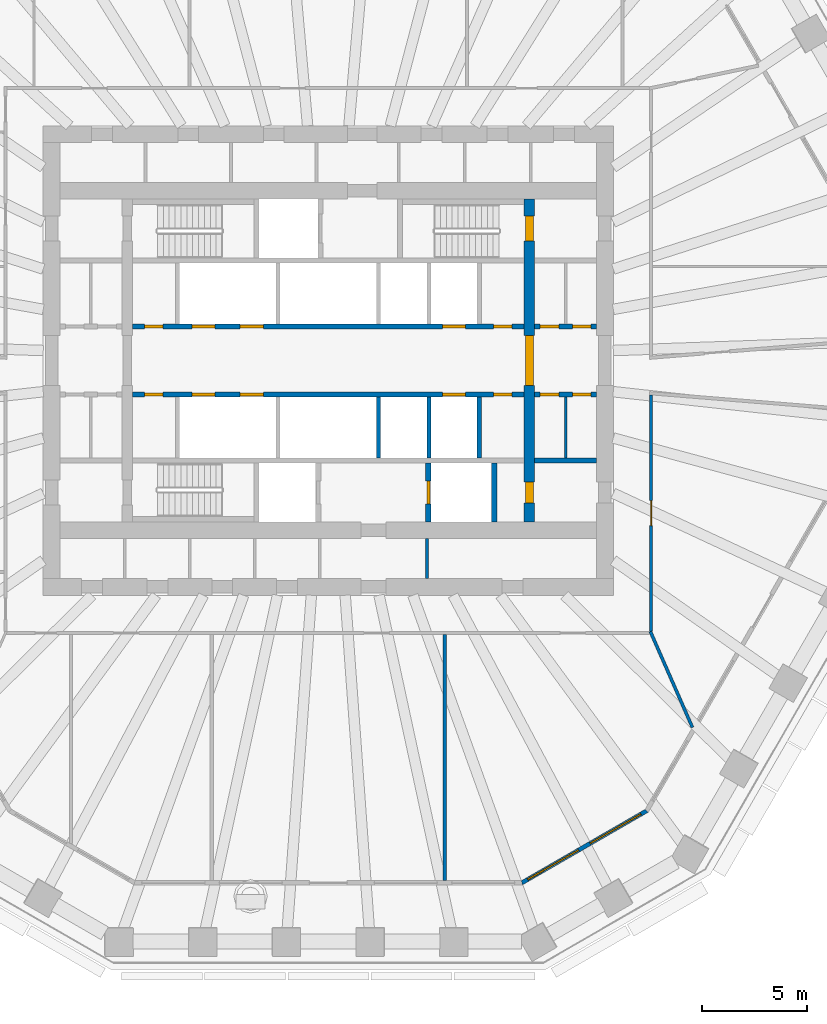
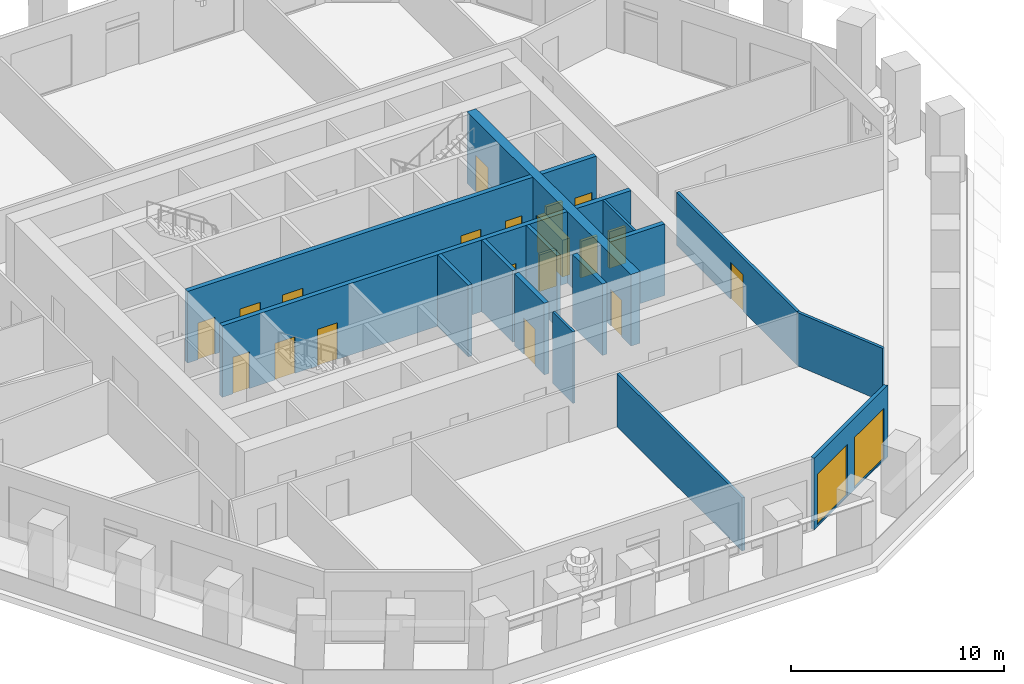
# One storey, part 5 of 13: 19 doors, 17 walls, 2 windows, 21 openings.
"""IFC4 building model written with IfcOpenShell, lengths in metres."""

import ifcopenshell
import ifcopenshell.guid

model = None  # the IFC model being written
_history = None  # IfcOwnerHistory: only IFC2X3 demands one
_inside = {}  # id of a spatial element -> (the spatial element, [elements in it])
_under = {}  # id of a project, library or spatial element -> (it, [spatial elements below it])
_declared = {}  # id of a project -> (the project, [libraries it declares])
_typed = {}  # id of a type object -> (the type object, [elements of that type])
_made_of = {}  # id of a material, layer set ... -> (it, [elements and type objects made of it])


def new_model(schema):
    """Start an empty IFC model of exactly this schema.

    Asked for "IFC4X3", IfcOpenShell would pick the latest addendum, in which some entities
    have other attributes; the version numbers below select the first issue.
    IFC2X3 requires an IfcOwnerHistory on every rooted entity: one is made here for all.
    """
    global model, _history
    if schema == "IFC4X3":
        model = ifcopenshell.file(schema_version=(4, 3, 0, 0))
    else:
        model = ifcopenshell.file(schema=schema)
    _inside.clear()
    _under.clear()
    _declared.clear()
    _typed.clear()
    _made_of.clear()
    _history = None
    if model.schema == "IFC2X3":
        org = make("IfcOrganization", Name="unknown")
        user = make(
            "IfcPersonAndOrganization",
            ThePerson=make("IfcPerson", FamilyName="unknown"),
            TheOrganization=org,
        )
        app = make(
            "IfcApplication",
            ApplicationDeveloper=org,
            Version="unknown",
            ApplicationFullName="unknown",
            ApplicationIdentifier="unknown",
        )
        _history = make(
            "IfcOwnerHistory",
            OwningUser=user,
            OwningApplication=app,
            ChangeAction="ADDED",
            CreationDate=0,
        )
    return model


def make(cls, **values):
    """One entity of the class cls with the attributes given. An attribute that is None is left unset."""
    return model.create_entity(
        cls, **{name: value for name, value in values.items() if value is not None}
    )


def rooted(cls, **values):
    """An entity with a GlobalId (a new one), such as an element, a storey or a relation."""
    return make(cls, GlobalId=ifcopenshell.guid.new(), OwnerHistory=_history, **values)


def si_unit(unit_type, name, prefix=None):
    """IfcSIUnit, for example si_unit("LENGTHUNIT", "METRE", prefix="MILLI")."""
    return make("IfcSIUnit", UnitType=unit_type, Prefix=prefix, Name=name)


def assignment(units):
    """IfcUnitAssignment: the units of a project."""
    return None if units is None else make("IfcUnitAssignment", Units=units)


def point(xyz):
    """IfcCartesianPoint."""
    return None if xyz is None else make("IfcCartesianPoint", Coordinates=xyz)


def direction(xyz):
    """IfcDirection."""
    return None if xyz is None else make("IfcDirection", DirectionRatios=xyz)


def frame(location, z_axis=None, x_axis=None):
    """IfcAxis2Placement3D, a coordinate frame: its origin and axes. An axis left out is left unset."""
    return make(
        "IfcAxis2Placement3D",
        Location=point(location),
        Axis=direction(z_axis),
        RefDirection=direction(x_axis),
    )


def frame_2d(location, x_axis=None):
    """IfcAxis2Placement2D, a coordinate frame in the plane: its origin and x axis."""
    return make(
        "IfcAxis2Placement2D", Location=point(location), RefDirection=direction(x_axis)
    )


def origin():
    """The frame at (0, 0, 0) with its axes left unset."""
    return frame((0.0, 0.0, 0.0))


def place(relative_to, where):
    """IfcLocalPlacement: puts the frame where relative to a parent placement (None: the world)."""
    return make(
        "IfcLocalPlacement", PlacementRelTo=relative_to, RelativePlacement=where
    )


def context(
    kind, dimensions, precision=None, world=None, true_north=None, identifier=None
):
    """IfcGeometricRepresentationContext, for example the 3D "Model" context."""
    return make(
        "IfcGeometricRepresentationContext",
        ContextIdentifier=identifier,
        ContextType=kind,
        CoordinateSpaceDimension=dimensions,
        Precision=precision,
        WorldCoordinateSystem=world,
        TrueNorth=true_north,
    )


def subcontext(parent, identifier, kind, view, scale=None):
    """IfcGeometricRepresentationSubContext, for example "Body" below "Model"."""
    return make(
        "IfcGeometricRepresentationSubContext",
        ContextIdentifier=identifier,
        ContextType=kind,
        ParentContext=parent,
        TargetScale=scale,
        TargetView=view,
    )


def project(units=None, contexts=None):
    """IfcProject with its units and contexts."""
    return rooted(
        "IfcProject",
        Name="project",
        RepresentationContexts=contexts,
        UnitsInContext=assignment(units),
    )


def spatial(cls, under=None, at=None, **own):
    """A site, building, storey or space (cls), placed at a placement, below another one or the project."""
    s = rooted(cls, ObjectPlacement=at, **own)
    if under is not None:
        _under.setdefault(under.id(), (under, []))[1].append(s)
    return s


def polyline(points):
    """IfcPolyline through the points."""
    return make("IfcPolyline", Points=[point(p) for p in points])


def profile(cls, at=None, kind="AREA", **sizes):
    """A parametric profile (cls). Its sizes go by their IFC names, for example OverallWidth=200.0."""
    return make(cls, ProfileType=kind, Position=at, **sizes)


def rectangle(**sizes):
    """IfcRectangleProfileDef."""
    return profile("IfcRectangleProfileDef", **sizes)


def outline(outer, holes=None, kind="AREA"):
    """IfcArbitraryClosedProfileDef: a profile drawn as a closed curve; with holes, ...WithVoids."""
    if holes is None:
        return make("IfcArbitraryClosedProfileDef", ProfileType=kind, OuterCurve=outer)
    return make(
        "IfcArbitraryProfileDefWithVoids",
        ProfileType=kind,
        OuterCurve=outer,
        InnerCurves=holes,
    )


def extrude(swept, where, along, depth):
    """IfcExtrudedAreaSolid: the profile swept, set in the frame where, extruded along a direction by depth."""
    return make(
        "IfcExtrudedAreaSolid",
        SweptArea=swept,
        Position=where,
        ExtrudedDirection=direction(along),
        Depth=depth,
    )


def shape(context_of_items, identifier, shape_type, items):
    """IfcShapeRepresentation: the items that make up one representation, for example the "Body"."""
    return make(
        "IfcShapeRepresentation",
        ContextOfItems=context_of_items,
        RepresentationIdentifier=identifier,
        RepresentationType=shape_type,
        Items=items,
    )


def material(Name=None, Category=None):
    """IfcMaterial."""
    return make("IfcMaterial", Name=Name, Category=Category)


def layer(
    of_material, thickness, ventilated=None, Name=None, Category=None, Priority=None
):
    """IfcMaterialLayer: one layer of a wall or slab, of a material (None: an air gap)."""
    return make(
        "IfcMaterialLayer",
        Material=of_material,
        LayerThickness=thickness,
        IsVentilated=ventilated,
        Name=Name,
        Category=Category,
        Priority=Priority,
    )


def layer_set(layers, Name=None):
    """IfcMaterialLayerSet."""
    return make("IfcMaterialLayerSet", MaterialLayers=layers, LayerSetName=Name)


def made_of(thing, what):
    """Note that an element or type object is made of a material, layer set ...; save() writes the relation."""
    if what is not None:
        _made_of.setdefault(what.id(), (what, []))[1].append(thing)
    return thing


def type_object(cls, material=None, **own):
    """A type object (cls), such as IfcWallType, which elements share."""
    return made_of(rooted(cls, **own), material)


def element(
    cls,
    number,
    at=None,
    inside=None,
    cuts=None,
    type_object=None,
    material=None,
    context=None,
    identifier="Body",
    shape_type=None,
    held_by="IfcProductDefinitionShape",
    body=None,
    shapes=None,
    **own,
):
    """One element of the class cls, such as IfcWall. Its Tag is "e" and its number.

    at: its placement. inside: the storey or other place that contains it. cuts: it is an
    opening in that element (IfcRelVoidsElement). A single representation is given by context,
    identifier, shape_type and body (its items); several are given by shapes. held_by: the class
    of the entity that holds the representations. save() writes the other relations.
    """
    e = rooted(cls, Tag="e%d" % number, ObjectPlacement=at, **own)
    if body is not None:
        shapes = [shape(context, identifier, shape_type, body)]
    if shapes is not None:
        e.Representation = make(held_by, Representations=shapes)
    if inside is not None:
        _inside.setdefault(inside.id(), (inside, []))[1].append(e)
    if cuts is not None:
        rooted(
            "IfcRelVoidsElement", RelatingBuildingElement=cuts, RelatedOpeningElement=e
        )
    if type_object is not None:
        _typed.setdefault(type_object.id(), (type_object, []))[1].append(e)
    return made_of(e, material)


def fill(opening, filler):
    """IfcRelFillsElement: the door or window that sits in an opening."""
    return rooted(
        "IfcRelFillsElement",
        RelatingOpeningElement=opening,
        RelatedBuildingElement=filler,
    )


def aggregate(whole, parts):
    """IfcRelAggregates: a whole, such as a stair, and the parts it consists of."""
    return rooted("IfcRelAggregates", RelatingObject=whole, RelatedObjects=parts)


def save(model, path):
    """Write the relations noted so far, then the file.

    IfcRelAggregates (storeys below a building ...), IfcRelContainedInSpatialStructure (elements
    in a storey), IfcRelDefinesByType, IfcRelAssociatesMaterial and IfcRelDeclares: one each for
    every whole, place, type object, material and project.
    """
    for whole, parts in _under.values():
        aggregate(whole, parts)
    for where, things in _inside.values():
        rooted(
            "IfcRelContainedInSpatialStructure",
            RelatedElements=things,
            RelatingStructure=where,
        )
    for kind, things in _typed.values():
        rooted("IfcRelDefinesByType", RelatedObjects=things, RelatingType=kind)
    for what, things in _made_of.values():
        rooted("IfcRelAssociatesMaterial", RelatedObjects=things, RelatingMaterial=what)
    for by, libraries in _declared.values():
        rooted("IfcRelDeclares", RelatingContext=by, RelatedDefinitions=libraries)
    model.write(path)


model = new_model("IFC4")

# Units and contexts
model_context = context("Model", 3, precision=1e-05, world=origin(), true_north=direction((0.0, 1.0)))
body_context = subcontext(model_context, "Body", "Model", "MODEL_VIEW")
ifc_project = project(units=[si_unit("LENGTHUNIT", "METRE"), si_unit("AREAUNIT", "SQUARE_METRE"), si_unit("VOLUMEUNIT", "CUBIC_METRE"), si_unit("PLANEANGLEUNIT", "RADIAN"), si_unit("MASSUNIT", "GRAM", prefix="KILO")], contexts=[model_context])

# Site, building, storey
site_placement = place(None, origin())
site = spatial("IfcSite", under=ifc_project, at=site_placement, CompositionType="ELEMENT")
building_placement = place(site_placement, origin())
building = spatial("IfcBuilding", under=site, at=building_placement, Name="Frailejon Research Tower", CompositionType="ELEMENT")
storey_placement = place(building_placement, frame((0.0, 0.0, 113.199951171875)))
storey = spatial("IfcBuildingStorey", under=building, at=storey_placement, Name="L24", CompositionType="ELEMENT", Elevation=113.199951171875)

# Walls
ifc_material_1 = material(Name="Plasterboard on steel studs", Category="steel")
ifc_layer_1 = layer(ifc_material_1, 0.125)
ifc_layer_set_1 = layer_set([ifc_layer_1], Name="Core partition 125")
wall_type_1 = type_object("IfcWallType", Name="Core partition 125", PredefinedType="PARTITIONING", material=ifc_layer_set_1)
wall_1_placement = place(storey_placement, frame((4.71240234375, -10.39990234375, 0.0), z_axis=(0.0, 0.0, 1.0), x_axis=(0.0, 1.0, 0.0)))
element("IfcWall", 1, at=wall_1_placement, inside=storey, type_object=wall_type_1, Name="Core partition", PredefinedType="PARTITIONING", context=body_context, shape_type="SweptSolid", body=[
    extrude(rectangle(XDim=1.89990234375, YDim=0.125, at=frame_2d((0.949951171875, 0.0))), origin(), (0.0, 0.0, 1.0), 4.10009765625),
])
wall_2_placement = place(storey_placement, frame((11.324951171875, -4.64990234375, 0.0), z_axis=(0.0, 0.0, 1.0), x_axis=(0.0, 1.0, 0.0)))
element("IfcWall", 2, at=wall_2_placement, inside=storey, type_object=wall_type_1, Name="Core partition", PredefinedType="PARTITIONING", context=body_context, shape_type="SweptSolid", body=[
    extrude(rectangle(XDim=2.89990234375, YDim=0.125, at=frame_2d((1.449951171875, 0.0))), origin(), (0.0, 0.0, 1.0), 4.10009765625),
])

# Wall, openings, doors
ifc_material_2 = material(Name="Concrete C70/85", Category="concrete")
ifc_layer_2 = layer(ifc_material_2, 0.5)
ifc_layer_set_2 = layer_set([ifc_layer_2], Name="Core shear wall 500 C70/85")
wall_type_2 = type_object("IfcWallType", Name="Core shear wall 500 C70/85", PredefinedType="SHEAR", material=ifc_layer_set_2)
wall_3_placement = place(storey_placement, frame((9.60009765625, -7.699951171875, 0.0), z_axis=(0.0, 0.0, 1.0), x_axis=(0.0, 1.0, 0.0)))
wall_3 = element("IfcWall", 3, at=wall_3_placement, inside=storey, type_object=wall_type_2, Name="Core shear wall", PredefinedType="SHEAR", context=body_context, shape_type="SweptSolid", body=[
    extrude(rectangle(XDim=15.39990234375, YDim=0.5, at=frame_2d((7.699951171875, 0.0))), origin(), (0.0, 0.0, 1.0), 4.10009765625),
])
opening_1_placement = place(wall_3_placement, frame((6.5, 0.0, 0.0)))
opening_1 = element("IfcOpeningElement", 4, at=opening_1_placement, cuts=wall_3, Name="Opening D2", PredefinedType="OPENING", context=body_context, shape_type="SweptSolid", body=[
    extrude(rectangle(XDim=2.39990234375, YDim=2.10009765625, at=frame_2d((1.199951171875, 1.050048828125))), frame((0.0, 0.260009765625, 0.0), z_axis=(0.0, -1.0, 0.0), x_axis=(1.0, 0.0, 0.0)), (0.0, 0.0, 1.0), 0.52001953125),
])
opening_2_placement = place(wall_3_placement, frame((13.39990234375, 0.0, 0.0)))
opening_2 = element("IfcOpeningElement", 5, at=opening_2_placement, cuts=wall_3, Name="Opening D1", PredefinedType="OPENING", context=body_context, shape_type="SweptSolid", body=[
    extrude(rectangle(XDim=1.199951171875, YDim=2.10009765625, at=frame_2d((0.60009765625, 1.050048828125))), frame((0.0, 0.260009765625, 0.0), z_axis=(0.0, -1.0, 0.0), x_axis=(1.0, 0.0, 0.0)), (0.0, 0.0, 1.0), 0.52001953125),
])
opening_3_placement = place(wall_3_placement, frame((0.89990234375, 0.0, 0.0)))
opening_3 = element("IfcOpeningElement", 6, at=opening_3_placement, cuts=wall_3, Name="Opening D4", PredefinedType="OPENING", context=body_context, shape_type="SweptSolid", body=[
    extrude(rectangle(XDim=1.0, YDim=2.10009765625, at=frame_2d((0.5, 1.050048828125))), frame((0.0, 0.260009765625, 0.0), z_axis=(0.0, -1.0, 0.0), x_axis=(1.0, 0.0, 0.0)), (0.0, 0.0, 1.0), 0.52001953125),
])
ifc_material_3 = material(Name="Steel", Category="steel")
door_type_1 = type_object("IfcDoorType", Name="Lobby double door", OperationType="DOUBLE_DOOR_SINGLE_SWING", PredefinedType="DOOR", material=ifc_material_3)
door_1_placement = place(opening_1_placement, origin())
door_1 = element("IfcDoor", 7, at=door_1_placement, inside=storey, type_object=door_type_1, Name="Lobby door", OperationType="DOUBLE_DOOR_SINGLE_SWING", OverallHeight=2.10009765625, OverallWidth=2.39990234375, PredefinedType="DOOR", context=body_context, shape_type="SweptSolid", body=[
    extrude(rectangle(XDim=2.39990234375, YDim=2.10009765625, at=frame_2d((1.199951171875, 1.050048828125))), frame((0.0, 0.199951171875, 0.0), z_axis=(0.0, -1.0, 0.0), x_axis=(1.0, 0.0, 0.0)), (0.0, 0.0, 1.0), 0.39990234375),
])
fill(opening_1, door_1)
ifc_material_4 = material(Name="Steel", Category="steel")
door_type_2 = type_object("IfcDoorType", Name="Service door", OperationType="SINGLE_SWING_LEFT", PredefinedType="DOOR", material=ifc_material_4)
door_2_placement = place(opening_3_placement, origin())
door_2 = element("IfcDoor", 8, at=door_2_placement, inside=storey, type_object=door_type_2, Name="Riser door", OperationType="SINGLE_SWING_RIGHT", OverallHeight=2.10009765625, OverallWidth=1.0, PredefinedType="DOOR", context=body_context, shape_type="SweptSolid", body=[
    extrude(rectangle(XDim=1.0, YDim=2.10009765625, at=frame_2d((0.5, 1.050048828125))), frame((0.0, 0.199951171875, 0.0), z_axis=(0.0, -1.0, 0.0), x_axis=(1.0, 0.0, 0.0)), (0.0, 0.0, 1.0), 0.39990234375),
])
fill(opening_3, door_2)
ifc_material_5 = material(Name="Steel", Category="steel")
door_type_3 = type_object("IfcDoorType", Name="Stair door", OperationType="SINGLE_SWING_LEFT", PredefinedType="DOOR", material=ifc_material_5)
door_3_placement = place(opening_2_placement, origin())
door_3 = element("IfcDoor", 9, at=door_3_placement, inside=storey, type_object=door_type_3, Name="Stair door ST3", OperationType="SINGLE_SWING_RIGHT", OverallHeight=2.10009765625, OverallWidth=1.199951171875, PredefinedType="DOOR", context=body_context, shape_type="SweptSolid", body=[
    extrude(rectangle(XDim=1.199951171875, YDim=2.10009765625, at=frame_2d((0.60009765625, 1.050048828125))), frame((0.0, 0.199951171875, 0.0), z_axis=(0.0, -1.0, 0.0), x_axis=(1.0, 0.0, 0.0)), (0.0, 0.0, 1.0), 0.39990234375),
])
fill(opening_2, door_3)

# Wall, opening, door
ifc_material_6 = material(Name="Gypsum board and masonry partition", Category="masonry")
ifc_layer_3 = layer(ifc_material_6, 0.14990234375)
ifc_layer_set_3 = layer_set([ifc_layer_3], Name="Corridor wall EI 60, gypsum on steel studs 150")
wall_type_3 = type_object("IfcWallType", Name="Corridor wall EI 60, gypsum on steel studs 150", PredefinedType="PARTITIONING", material=ifc_layer_set_3)
wall_4_placement = place(storey_placement, frame((15.39990234375, -12.925048828125, 0.0), z_axis=(0.0, 0.0, 1.0), x_axis=(0.0, 1.0, 0.0)))
wall_4 = element("IfcWall", 10, at=wall_4_placement, inside=storey, type_object=wall_type_3, Name="T:IW:L24:001", PredefinedType="PARTITIONING", context=body_context, shape_type="SweptSolid", body=[
    extrude(rectangle(XDim=11.2861328125, YDim=0.14990234375, at=frame_2d((5.64306640625, 0.0))), origin(), (0.0, 0.0, 1.0), 3.050048828125),
])
opening_4_placement = place(wall_4_placement, frame((5.043212890625, 0.0, 0.0)))
opening_4 = element("IfcOpeningElement", 11, at=opening_4_placement, cuts=wall_4, Name="Opening D1614", PredefinedType="OPENING", context=body_context, shape_type="SweptSolid", body=[
    extrude(rectangle(XDim=1.199951171875, YDim=2.10009765625, at=frame_2d((0.60009765625, 1.050048828125))), frame((0.0, 0.0849609375, 0.0), z_axis=(0.0, -1.0, 0.0), x_axis=(1.0, 0.0, 0.0)), (0.0, 0.0, 1.0), 0.169921875),
])
ifc_material_7 = material(Name="Timber door leaf", Category="wood")
door_type_4 = type_object("IfcDoorType", Name="Door single leaf, timber, steel frame 1200", OperationType="NOTDEFINED", PredefinedType="DOOR", material=ifc_material_7)
door_4_placement = place(opening_4_placement, origin())
door_4 = element("IfcDoor", 12, at=door_4_placement, inside=storey, type_object=door_type_4, Name="D1614", OperationType="DOUBLE_DOOR_SINGLE_SWING", OverallHeight=2.10009765625, OverallWidth=1.199951171875, PredefinedType="DOOR", context=body_context, shape_type="SweptSolid", body=[
    extrude(rectangle(XDim=1.199951171875, YDim=2.10009765625, at=frame_2d((0.60009765625, 1.050048828125))), frame((0.0, 0.02490234375, 0.0), z_axis=(0.0, -1.0, 0.0), x_axis=(1.0, 0.0, 0.0)), (0.0, 0.0, 1.0), 0.050048828125),
])
fill(opening_4, door_4)

# Walls
ifc_material_8 = material(Name="Gypsum board and masonry partition", Category="masonry")
ifc_layer_4 = layer(ifc_material_8, 0.14990234375)
ifc_layer_set_4 = layer_set([ifc_layer_4], Name="Laboratory partition, blockwork 150")
wall_type_4 = type_object("IfcWallType", Name="Laboratory partition, blockwork 150", PredefinedType="PARTITIONING", material=ifc_layer_set_4)
wall_5_placement = place(storey_placement, frame((5.56103515625, -24.818115234375, 0.0), z_axis=(0.0, 0.0, 1.0), x_axis=(0.0, 1.0, 0.0)))
element("IfcWall", 13, at=wall_5_placement, inside=storey, type_object=wall_type_4, Name="T:IW:L24:018", PredefinedType="PARTITIONING", context=body_context, shape_type="SweptSolid", body=[
    extrude(rectangle(XDim=11.7431640625, YDim=0.14990234375, at=frame_2d((5.87158203125, 0.0))), origin(), (0.0, 0.0, 1.0), 3.050048828125),
])
wall_6_placement = place(storey_placement, frame((15.369873046875, -12.931396484375, 0.0), z_axis=(0.0, 0.0, 1.0), x_axis=(0.401552160524, -0.915836154767, 0.0)))
element("IfcWall", 14, at=wall_6_placement, inside=storey, type_object=wall_type_4, Name="T:IW:L24:019", PredefinedType="PARTITIONING", context=body_context, shape_type="SweptSolid", body=[
    extrude(rectangle(XDim=4.994140625, YDim=0.14990234375, at=frame_2d((2.4970703125, 0.0))), origin(), (0.0, 0.0, 1.0), 3.050048828125),
])
ifc_material_9 = material(Name="Concrete C70/85", Category="concrete")
ifc_layer_5 = layer(ifc_material_9, 0.199951171875)
ifc_layer_set_5 = layer_set([ifc_layer_5], Name="Shaft wall 200 C70/85")
wall_type_5 = type_object("IfcWallType", Name="Shaft wall 200 C70/85", PredefinedType="SOLIDWALL", material=ifc_layer_set_5)
for number, where, z_axis, x_axis, name in (
    (15, (2.39990234375, -4.64990234375, 0.0), (0.0, 0.0, 1.0), (0.0, 1.0, 0.0), "Shaft wall"),
    (16, (4.800048828125, -4.64990234375, 0.0), (0.0, 0.0, 1.0), (0.0, 1.0, 0.0), "Shaft wall"),
    (17, (7.199951171875, -4.64990234375, 0.0), (0.0, 0.0, 1.0), (0.0, 1.0, 0.0), "Shaft wall"),
):
    element("IfcWall", number, at=place(storey_placement, frame(where, z_axis=z_axis, x_axis=x_axis)), inside=storey, type_object=wall_type_5, Name=name, PredefinedType="SOLIDWALL", context=body_context, shape_type="SweptSolid", body=[
        extrude(rectangle(XDim=2.89990234375, YDim=0.199951171875, at=frame_2d((1.449951171875, 0.0))), origin(), (0.0, 0.0, 1.0), 4.10009765625),
    ])

# Wall, openings, doors
ifc_material_10 = material(Name="Concrete C70/85", Category="concrete")
ifc_layer_6 = layer(ifc_material_10, 0.25)
ifc_layer_set_6 = layer_set([ifc_layer_6], Name="Shaft wall 250 C70/85")
wall_type_6 = type_object("IfcWallType", Name="Shaft wall 250 C70/85", PredefinedType="SOLIDWALL", material=ifc_layer_set_6)
wall_7_placement = place(storey_placement, frame((-9.35009765625, 1.625, 0.0), z_axis=(0.0, 0.0, 1.0), x_axis=(1.0, 0.0, 0.0)))
wall_7 = element("IfcWall", 18, at=wall_7_placement, inside=storey, type_object=wall_type_6, Name="Shaft wall", PredefinedType="SOLIDWALL", context=body_context, shape_type="SweptSolid", body=[
    extrude(rectangle(XDim=18.7001953125, YDim=0.25, at=frame_2d((9.35009765625, 0.0))), origin(), (0.0, 0.0, 1.0), 4.10009765625),
])
opening_5_placement = place(wall_7_placement, frame((2.85009765625, 0.0, 0.0)))
opening_5 = element("IfcOpeningElement", 19, at=opening_5_placement, cuts=wall_7, Name="Opening LD", PredefinedType="OPENING", context=body_context, shape_type="SweptSolid", body=[
    extrude(rectangle(XDim=1.10009765625, YDim=2.10009765625, at=frame_2d((0.550048828125, 1.050048828125))), frame((0.0, 0.135009765625, 0.0), z_axis=(0.0, -1.0, 0.0), x_axis=(1.0, 0.0, 0.0)), (0.0, 0.0, 1.0), 0.27001953125),
])
opening_6_placement = place(wall_7_placement, frame((5.14990234375, 0.0, 0.0)))
opening_6 = element("IfcOpeningElement", 20, at=opening_6_placement, cuts=wall_7, Name="Opening LD", PredefinedType="OPENING", context=body_context, shape_type="SweptSolid", body=[
    extrude(rectangle(XDim=1.10009765625, YDim=2.10009765625, at=frame_2d((0.550048828125, 1.050048828125))), frame((0.0, 0.135009765625, 0.0), z_axis=(0.0, -1.0, 0.0), x_axis=(1.0, 0.0, 0.0)), (0.0, 0.0, 1.0), 0.27001953125),
])
opening_7_placement = place(wall_7_placement, frame((14.800048828125, 0.0, 0.0)))
opening_7 = element("IfcOpeningElement", 21, at=opening_7_placement, cuts=wall_7, Name="Opening LD", PredefinedType="OPENING", context=body_context, shape_type="SweptSolid", body=[
    extrude(rectangle(XDim=1.10009765625, YDim=2.10009765625, at=frame_2d((0.550048828125, 1.050048828125))), frame((0.0, 0.135009765625, 0.0), z_axis=(0.0, -1.0, 0.0), x_axis=(1.0, 0.0, 0.0)), (0.0, 0.0, 1.0), 0.27001953125),
])
opening_8_placement = place(wall_7_placement, frame((0.574951171875, 0.0, 0.0)))
opening_8 = element("IfcOpeningElement", 22, at=opening_8_placement, cuts=wall_7, Name="Opening D8", PredefinedType="OPENING", context=body_context, shape_type="SweptSolid", body=[
    extrude(rectangle(XDim=0.89990234375, YDim=2.10009765625, at=frame_2d((0.449951171875, 1.050048828125))), frame((0.0, 0.135009765625, 0.0), z_axis=(0.0, -1.0, 0.0), x_axis=(1.0, 0.0, 0.0)), (0.0, 0.0, 1.0), 0.27001953125),
])
opening_9_placement = place(wall_7_placement, frame((17.22509765625, 0.0, 0.0)))
opening_9 = element("IfcOpeningElement", 23, at=opening_9_placement, cuts=wall_7, Name="Opening D8", PredefinedType="OPENING", context=body_context, shape_type="SweptSolid", body=[
    extrude(rectangle(XDim=0.89990234375, YDim=2.10009765625, at=frame_2d((0.449951171875, 1.050048828125))), frame((0.0, 0.135009765625, 0.0), z_axis=(0.0, -1.0, 0.0), x_axis=(1.0, 0.0, 0.0)), (0.0, 0.0, 1.0), 0.27001953125),
])
ifc_material_11 = material(Name="Steel", Category="steel")
door_type_5 = type_object("IfcDoorType", Name="Core room door", OperationType="SINGLE_SWING_LEFT", PredefinedType="DOOR", material=ifc_material_11)
door_5_placement = place(opening_8_placement, origin())
door_5 = element("IfcDoor", 24, at=door_5_placement, inside=storey, type_object=door_type_5, Name="Room door", OperationType="SINGLE_SWING_LEFT", OverallHeight=2.10009765625, OverallWidth=0.89990234375, PredefinedType="DOOR", context=body_context, shape_type="SweptSolid", body=[
    extrude(rectangle(XDim=0.89990234375, YDim=2.10009765625, at=frame_2d((0.449951171875, 1.050048828125))), frame((0.0, 0.074951171875, 0.0), z_axis=(0.0, -1.0, 0.0), x_axis=(1.0, 0.0, 0.0)), (0.0, 0.0, 1.0), 0.14990234375),
])
fill(opening_8, door_5)
door_6_placement = place(opening_9_placement, origin())
door_6 = element("IfcDoor", 25, at=door_6_placement, inside=storey, type_object=door_type_5, Name="Room door", OperationType="SINGLE_SWING_RIGHT", OverallHeight=2.10009765625, OverallWidth=0.89990234375, PredefinedType="DOOR", context=body_context, shape_type="SweptSolid", body=[
    extrude(rectangle(XDim=0.89990234375, YDim=2.10009765625, at=frame_2d((0.449951171875, 1.050048828125))), frame((0.0, 0.074951171875, 0.0), z_axis=(0.0, -1.0, 0.0), x_axis=(1.0, 0.0, 0.0)), (0.0, 0.0, 1.0), 0.14990234375),
])
fill(opening_9, door_6)
ifc_material_12 = material(Name="Steel", Category="steel")
door_type_6 = type_object("IfcDoorType", Name="Lift landing door", OperationType="DOUBLE_DOOR_SLIDING", PredefinedType="DOOR", material=ifc_material_12)
door_7_placement = place(opening_5_placement, origin())
door_7 = element("IfcDoor", 26, at=door_7_placement, inside=storey, type_object=door_type_6, Name="Lift landing door", OperationType="DOUBLE_DOOR_SLIDING", OverallHeight=2.10009765625, OverallWidth=1.10009765625, PredefinedType="DOOR", context=body_context, shape_type="SweptSolid", body=[
    extrude(rectangle(XDim=1.10009765625, YDim=2.10009765625, at=frame_2d((0.550048828125, 1.050048828125))), frame((0.0, 0.074951171875, 0.0), z_axis=(0.0, -1.0, 0.0), x_axis=(1.0, 0.0, 0.0)), (0.0, 0.0, 1.0), 0.14990234375),
])
fill(opening_5, door_7)
door_8_placement = place(opening_6_placement, origin())
door_8 = element("IfcDoor", 27, at=door_8_placement, inside=storey, type_object=door_type_6, Name="Lift landing door", OperationType="DOUBLE_DOOR_SLIDING", OverallHeight=2.10009765625, OverallWidth=1.10009765625, PredefinedType="DOOR", context=body_context, shape_type="SweptSolid", body=[
    extrude(rectangle(XDim=1.10009765625, YDim=2.10009765625, at=frame_2d((0.550048828125, 1.050048828125))), frame((0.0, 0.074951171875, 0.0), z_axis=(0.0, -1.0, 0.0), x_axis=(1.0, 0.0, 0.0)), (0.0, 0.0, 1.0), 0.14990234375),
])
fill(opening_6, door_8)
door_9_placement = place(opening_7_placement, origin())
door_9 = element("IfcDoor", 28, at=door_9_placement, inside=storey, type_object=door_type_6, Name="Lift landing door", OperationType="DOUBLE_DOOR_SLIDING", OverallHeight=2.10009765625, OverallWidth=1.10009765625, PredefinedType="DOOR", context=body_context, shape_type="SweptSolid", body=[
    extrude(rectangle(XDim=1.10009765625, YDim=2.10009765625, at=frame_2d((0.550048828125, 1.050048828125))), frame((0.0, 0.074951171875, 0.0), z_axis=(0.0, -1.0, 0.0), x_axis=(1.0, 0.0, 0.0)), (0.0, 0.0, 1.0), 0.14990234375),
])
fill(opening_7, door_9)

wall_8_placement = place(storey_placement, frame((9.85009765625, 1.625, 0.0), z_axis=(0.0, 0.0, 1.0), x_axis=(1.0, 0.0, 0.0)))
wall_8 = element("IfcWall", 29, at=wall_8_placement, inside=storey, type_object=wall_type_6, Name="Shaft wall", PredefinedType="SOLIDWALL", context=body_context, shape_type="SweptSolid", body=[
    extrude(rectangle(XDim=2.949951171875, YDim=0.25, at=frame_2d((1.47509765625, 0.0))), origin(), (0.0, 0.0, 1.0), 4.10009765625),
])
opening_10_placement = place(wall_8_placement, frame((0.256103515625, 0.0, 0.0)))
opening_10 = element("IfcOpeningElement", 30, at=opening_10_placement, cuts=wall_8, Name="Opening D8", PredefinedType="OPENING", context=body_context, shape_type="SweptSolid", body=[
    extrude(rectangle(XDim=0.89990234375, YDim=2.10009765625, at=frame_2d((0.449951171875, 1.050048828125))), frame((0.0, 0.135009765625, 0.0), z_axis=(0.0, -1.0, 0.0), x_axis=(1.0, 0.0, 0.0)), (0.0, 0.0, 1.0), 0.27001953125),
])
opening_11_placement = place(wall_8_placement, frame((1.793701171875, 0.0, 0.0)))
opening_11 = element("IfcOpeningElement", 31, at=opening_11_placement, cuts=wall_8, Name="Opening D8", PredefinedType="OPENING", context=body_context, shape_type="SweptSolid", body=[
    extrude(rectangle(XDim=0.89990234375, YDim=2.10009765625, at=frame_2d((0.449951171875, 1.050048828125))), frame((0.0, 0.135009765625, 0.0), z_axis=(0.0, -1.0, 0.0), x_axis=(1.0, 0.0, 0.0)), (0.0, 0.0, 1.0), 0.27001953125),
])
door_10_placement = place(opening_10_placement, origin())
door_10 = element("IfcDoor", 32, at=door_10_placement, inside=storey, type_object=door_type_5, Name="Room door", OperationType="SINGLE_SWING_LEFT", OverallHeight=2.10009765625, OverallWidth=0.89990234375, PredefinedType="DOOR", context=body_context, shape_type="SweptSolid", body=[
    extrude(rectangle(XDim=0.89990234375, YDim=2.10009765625, at=frame_2d((0.449951171875, 1.050048828125))), frame((0.0, 0.074951171875, 0.0), z_axis=(0.0, -1.0, 0.0), x_axis=(1.0, 0.0, 0.0)), (0.0, 0.0, 1.0), 0.14990234375),
])
fill(opening_10, door_10)
door_11_placement = place(opening_11_placement, origin())
door_11 = element("IfcDoor", 33, at=door_11_placement, inside=storey, type_object=door_type_5, Name="Room door", OperationType="SINGLE_SWING_RIGHT", OverallHeight=2.10009765625, OverallWidth=0.89990234375, PredefinedType="DOOR", context=body_context, shape_type="SweptSolid", body=[
    extrude(rectangle(XDim=0.89990234375, YDim=2.10009765625, at=frame_2d((0.449951171875, 1.050048828125))), frame((0.0, 0.074951171875, 0.0), z_axis=(0.0, -1.0, 0.0), x_axis=(1.0, 0.0, 0.0)), (0.0, 0.0, 1.0), 0.14990234375),
])
fill(opening_11, door_11)

wall_9_placement = place(storey_placement, frame((-9.35009765625, -1.625, 0.0), z_axis=(0.0, 0.0, 1.0), x_axis=(1.0, 0.0, 0.0)))
wall_9 = element("IfcWall", 34, at=wall_9_placement, inside=storey, type_object=wall_type_6, Name="Shaft wall", PredefinedType="SOLIDWALL", context=body_context, shape_type="SweptSolid", body=[
    extrude(rectangle(XDim=18.7001953125, YDim=0.25, at=frame_2d((9.35009765625, 0.0))), origin(), (0.0, 0.0, 1.0), 4.10009765625),
])
opening_12_placement = place(wall_9_placement, frame((2.85009765625, 0.0, 0.0)))
opening_12 = element("IfcOpeningElement", 35, at=opening_12_placement, cuts=wall_9, Name="Opening LD", PredefinedType="OPENING", context=body_context, shape_type="SweptSolid", body=[
    extrude(rectangle(XDim=1.10009765625, YDim=2.10009765625, at=frame_2d((0.550048828125, 1.050048828125))), frame((0.0, 0.135009765625, 0.0), z_axis=(0.0, -1.0, 0.0), x_axis=(1.0, 0.0, 0.0)), (0.0, 0.0, 1.0), 0.27001953125),
])
opening_13_placement = place(wall_9_placement, frame((5.14990234375, 0.0, 0.0)))
opening_13 = element("IfcOpeningElement", 36, at=opening_13_placement, cuts=wall_9, Name="Opening LD", PredefinedType="OPENING", context=body_context, shape_type="SweptSolid", body=[
    extrude(rectangle(XDim=1.10009765625, YDim=2.10009765625, at=frame_2d((0.550048828125, 1.050048828125))), frame((0.0, 0.135009765625, 0.0), z_axis=(0.0, -1.0, 0.0), x_axis=(1.0, 0.0, 0.0)), (0.0, 0.0, 1.0), 0.27001953125),
])
opening_14_placement = place(wall_9_placement, frame((14.800048828125, 0.0, 0.0)))
opening_14 = element("IfcOpeningElement", 37, at=opening_14_placement, cuts=wall_9, Name="Opening LD", PredefinedType="OPENING", context=body_context, shape_type="SweptSolid", body=[
    extrude(rectangle(XDim=1.10009765625, YDim=2.10009765625, at=frame_2d((0.550048828125, 1.050048828125))), frame((0.0, 0.135009765625, 0.0), z_axis=(0.0, -1.0, 0.0), x_axis=(1.0, 0.0, 0.0)), (0.0, 0.0, 1.0), 0.27001953125),
])
opening_15_placement = place(wall_9_placement, frame((0.574951171875, 0.0, 0.0)))
opening_15 = element("IfcOpeningElement", 38, at=opening_15_placement, cuts=wall_9, Name="Opening D8", PredefinedType="OPENING", context=body_context, shape_type="SweptSolid", body=[
    extrude(rectangle(XDim=0.89990234375, YDim=2.10009765625, at=frame_2d((0.449951171875, 1.050048828125))), frame((0.0, 0.135009765625, 0.0), z_axis=(0.0, -1.0, 0.0), x_axis=(1.0, 0.0, 0.0)), (0.0, 0.0, 1.0), 0.27001953125),
])
opening_16_placement = place(wall_9_placement, frame((17.22509765625, 0.0, 0.0)))
opening_16 = element("IfcOpeningElement", 39, at=opening_16_placement, cuts=wall_9, Name="Opening D8", PredefinedType="OPENING", context=body_context, shape_type="SweptSolid", body=[
    extrude(rectangle(XDim=0.89990234375, YDim=2.10009765625, at=frame_2d((0.449951171875, 1.050048828125))), frame((0.0, 0.135009765625, 0.0), z_axis=(0.0, -1.0, 0.0), x_axis=(1.0, 0.0, 0.0)), (0.0, 0.0, 1.0), 0.27001953125),
])
door_12_placement = place(opening_15_placement, origin())
door_12 = element("IfcDoor", 40, at=door_12_placement, inside=storey, type_object=door_type_5, Name="Room door", OperationType="SINGLE_SWING_LEFT", OverallHeight=2.10009765625, OverallWidth=0.89990234375, PredefinedType="DOOR", context=body_context, shape_type="SweptSolid", body=[
    extrude(rectangle(XDim=0.89990234375, YDim=2.10009765625, at=frame_2d((0.449951171875, 1.050048828125))), frame((0.0, 0.074951171875, 0.0), z_axis=(0.0, -1.0, 0.0), x_axis=(1.0, 0.0, 0.0)), (0.0, 0.0, 1.0), 0.14990234375),
])
fill(opening_15, door_12)
door_13_placement = place(opening_16_placement, origin())
door_13 = element("IfcDoor", 41, at=door_13_placement, inside=storey, type_object=door_type_5, Name="Room door", OperationType="SINGLE_SWING_RIGHT", OverallHeight=2.10009765625, OverallWidth=0.89990234375, PredefinedType="DOOR", context=body_context, shape_type="SweptSolid", body=[
    extrude(rectangle(XDim=0.89990234375, YDim=2.10009765625, at=frame_2d((0.449951171875, 1.050048828125))), frame((0.0, 0.074951171875, 0.0), z_axis=(0.0, -1.0, 0.0), x_axis=(1.0, 0.0, 0.0)), (0.0, 0.0, 1.0), 0.14990234375),
])
fill(opening_16, door_13)
door_14_placement = place(opening_12_placement, origin())
door_14 = element("IfcDoor", 42, at=door_14_placement, inside=storey, type_object=door_type_6, Name="Lift landing door", OperationType="DOUBLE_DOOR_SLIDING", OverallHeight=2.10009765625, OverallWidth=1.10009765625, PredefinedType="DOOR", context=body_context, shape_type="SweptSolid", body=[
    extrude(rectangle(XDim=1.10009765625, YDim=2.10009765625, at=frame_2d((0.550048828125, 1.050048828125))), frame((0.0, 0.074951171875, 0.0), z_axis=(0.0, -1.0, 0.0), x_axis=(1.0, 0.0, 0.0)), (0.0, 0.0, 1.0), 0.14990234375),
])
fill(opening_12, door_14)
door_15_placement = place(opening_13_placement, origin())
door_15 = element("IfcDoor", 43, at=door_15_placement, inside=storey, type_object=door_type_6, Name="Lift landing door", OperationType="DOUBLE_DOOR_SLIDING", OverallHeight=2.10009765625, OverallWidth=1.10009765625, PredefinedType="DOOR", context=body_context, shape_type="SweptSolid", body=[
    extrude(rectangle(XDim=1.10009765625, YDim=2.10009765625, at=frame_2d((0.550048828125, 1.050048828125))), frame((0.0, 0.074951171875, 0.0), z_axis=(0.0, -1.0, 0.0), x_axis=(1.0, 0.0, 0.0)), (0.0, 0.0, 1.0), 0.14990234375),
])
fill(opening_13, door_15)
door_16_placement = place(opening_14_placement, origin())
door_16 = element("IfcDoor", 44, at=door_16_placement, inside=storey, type_object=door_type_6, Name="Lift landing door", OperationType="DOUBLE_DOOR_SLIDING", OverallHeight=2.10009765625, OverallWidth=1.10009765625, PredefinedType="DOOR", context=body_context, shape_type="SweptSolid", body=[
    extrude(rectangle(XDim=1.10009765625, YDim=2.10009765625, at=frame_2d((0.550048828125, 1.050048828125))), frame((0.0, 0.074951171875, 0.0), z_axis=(0.0, -1.0, 0.0), x_axis=(1.0, 0.0, 0.0)), (0.0, 0.0, 1.0), 0.14990234375),
])
fill(opening_14, door_16)

wall_10_placement = place(storey_placement, frame((9.85009765625, -1.625, 0.0), z_axis=(0.0, 0.0, 1.0), x_axis=(1.0, 0.0, 0.0)))
wall_10 = element("IfcWall", 45, at=wall_10_placement, inside=storey, type_object=wall_type_6, Name="Shaft wall", PredefinedType="SOLIDWALL", context=body_context, shape_type="SweptSolid", body=[
    extrude(rectangle(XDim=2.949951171875, YDim=0.25, at=frame_2d((1.47509765625, 0.0))), origin(), (0.0, 0.0, 1.0), 4.10009765625),
])
opening_17_placement = place(wall_10_placement, frame((0.256103515625, 0.0, 0.0)))
opening_17 = element("IfcOpeningElement", 46, at=opening_17_placement, cuts=wall_10, Name="Opening D8", PredefinedType="OPENING", context=body_context, shape_type="SweptSolid", body=[
    extrude(rectangle(XDim=0.89990234375, YDim=2.10009765625, at=frame_2d((0.449951171875, 1.050048828125))), frame((0.0, 0.135009765625, 0.0), z_axis=(0.0, -1.0, 0.0), x_axis=(1.0, 0.0, 0.0)), (0.0, 0.0, 1.0), 0.27001953125),
])
opening_18_placement = place(wall_10_placement, frame((1.793701171875, 0.0, 0.0)))
opening_18 = element("IfcOpeningElement", 47, at=opening_18_placement, cuts=wall_10, Name="Opening D8", PredefinedType="OPENING", context=body_context, shape_type="SweptSolid", body=[
    extrude(rectangle(XDim=0.89990234375, YDim=2.10009765625, at=frame_2d((0.449951171875, 1.050048828125))), frame((0.0, 0.135009765625, 0.0), z_axis=(0.0, -1.0, 0.0), x_axis=(1.0, 0.0, 0.0)), (0.0, 0.0, 1.0), 0.27001953125),
])
door_17_placement = place(opening_17_placement, origin())
door_17 = element("IfcDoor", 48, at=door_17_placement, inside=storey, type_object=door_type_5, Name="Room door", OperationType="SINGLE_SWING_LEFT", OverallHeight=2.10009765625, OverallWidth=0.89990234375, PredefinedType="DOOR", context=body_context, shape_type="SweptSolid", body=[
    extrude(rectangle(XDim=0.89990234375, YDim=2.10009765625, at=frame_2d((0.449951171875, 1.050048828125))), frame((0.0, 0.074951171875, 0.0), z_axis=(0.0, -1.0, 0.0), x_axis=(1.0, 0.0, 0.0)), (0.0, 0.0, 1.0), 0.14990234375),
])
fill(opening_17, door_17)
door_18_placement = place(opening_18_placement, origin())
door_18 = element("IfcDoor", 49, at=door_18_placement, inside=storey, type_object=door_type_5, Name="Room door", OperationType="SINGLE_SWING_RIGHT", OverallHeight=2.10009765625, OverallWidth=0.89990234375, PredefinedType="DOOR", context=body_context, shape_type="SweptSolid", body=[
    extrude(rectangle(XDim=0.89990234375, YDim=2.10009765625, at=frame_2d((0.449951171875, 1.050048828125))), frame((0.0, 0.074951171875, 0.0), z_axis=(0.0, -1.0, 0.0), x_axis=(1.0, 0.0, 0.0)), (0.0, 0.0, 1.0), 0.14990234375),
])
fill(opening_18, door_18)

# Wall
wall_11_placement = place(storey_placement, frame((9.85009765625, -4.77490234375, 0.0), z_axis=(0.0, 0.0, 1.0), x_axis=(1.0, 0.0, 0.0)))
element("IfcWall", 50, at=wall_11_placement, inside=storey, type_object=wall_type_6, Name="Shaft wall", PredefinedType="SOLIDWALL", context=body_context, shape_type="SweptSolid", body=[
    extrude(rectangle(XDim=2.949951171875, YDim=0.25, at=frame_2d((1.47509765625, 0.0))), origin(), (0.0, 0.0, 1.0), 4.10009765625),
])

# Wall, opening, door
wall_12_placement = place(storey_placement, frame((4.77490234375, -7.699951171875, 0.0), z_axis=(0.0, 0.0, 1.0), x_axis=(0.0, 1.0, 0.0)))
wall_12 = element("IfcWall", 51, at=wall_12_placement, inside=storey, type_object=wall_type_6, Name="Shaft wall", PredefinedType="SOLIDWALL", context=body_context, shape_type="SweptSolid", body=[
    extrude(rectangle(XDim=2.800048828125, YDim=0.25, at=frame_2d((1.39990234375, 0.0))), origin(), (0.0, 0.0, 1.0), 4.10009765625),
])
opening_19_placement = place(wall_12_placement, frame((0.85009765625, 0.0, 0.0)))
opening_19 = element("IfcOpeningElement", 52, at=opening_19_placement, cuts=wall_12, Name="Opening LD", PredefinedType="OPENING", context=body_context, shape_type="SweptSolid", body=[
    extrude(rectangle(XDim=1.10009765625, YDim=2.10009765625, at=frame_2d((0.550048828125, 1.050048828125))), frame((0.0, 0.135009765625, 0.0), z_axis=(0.0, -1.0, 0.0), x_axis=(1.0, 0.0, 0.0)), (0.0, 0.0, 1.0), 0.27001953125),
])
door_19_placement = place(opening_19_placement, origin())
door_19 = element("IfcDoor", 53, at=door_19_placement, inside=storey, type_object=door_type_6, Name="Lift landing door", OperationType="DOUBLE_DOOR_SLIDING", OverallHeight=2.10009765625, OverallWidth=1.10009765625, PredefinedType="DOOR", context=body_context, shape_type="SweptSolid", body=[
    extrude(rectangle(XDim=1.10009765625, YDim=2.10009765625, at=frame_2d((0.550048828125, 1.050048828125))), frame((0.0, 0.074951171875, 0.0), z_axis=(0.0, -1.0, 0.0), x_axis=(1.0, 0.0, 0.0)), (0.0, 0.0, 1.0), 0.14990234375),
])
fill(opening_19, door_19)

# Wall
wall_13_placement = place(storey_placement, frame((7.925048828125, -7.699951171875, 0.0), z_axis=(0.0, 0.0, 1.0), x_axis=(0.0, 1.0, 0.0)))
element("IfcWall", 54, at=wall_13_placement, inside=storey, type_object=wall_type_6, Name="Shaft wall", PredefinedType="SOLIDWALL", context=body_context, shape_type="SweptSolid", body=[
    extrude(rectangle(XDim=2.800048828125, YDim=0.25, at=frame_2d((1.39990234375, 0.0))), origin(), (0.0, 0.0, 1.0), 4.10009765625),
])

# Wall, openings, windows
ifc_material_13 = material(Name="Concrete C40/50 precast window wall panel", Category="concrete")
ifc_layer_7 = layer(ifc_material_13, 0.199951171875)
ifc_layer_set_7 = layer_set([ifc_layer_7], Name="Window wall 200")
wall_type_7 = type_object("IfcWallType", Name="Window wall 200", PredefinedType="SOLIDWALL", material=ifc_layer_set_7)
wall_14_placement = place(storey_placement, frame((9.24169921875, -24.918212890625, 0.0), z_axis=(0.0, 0.0, 1.0), x_axis=(0.866029458321, 0.49999297727, 0.0)))
wall_14 = element("IfcWall", 55, at=wall_14_placement, inside=storey, type_object=wall_type_7, Name="Exterior wall L24", PredefinedType="SOLIDWALL", context=body_context, shape_type="SweptSolid", body=[
    extrude(outline(polyline([(-0.02685546875, -0.10009765625), (1.1279296875, -0.10009765625), (2.282470703125, -0.10009765625), (3.437255859375, -0.10009765625), (4.592041015625, -0.10009765625), (5.74658203125, -0.10009765625), (6.9013671875, -0.10009765625), (6.84765625, 0.10009765625), (5.7109375, 0.10009765625), (4.573974609375, 0.10009765625), (3.437255859375, 0.10009765625), (2.300537109375, 0.10009765625), (1.16357421875, 0.10009765625), (0.02685546875, 0.10009765625), (-0.02685546875, -0.10009765625)])), origin(), (0.0, 0.0, 1.0), 4.10009765625),
])
opening_20_placement = place(wall_14_placement, frame((0.318603515625, 0.0, 0.10009765625)))
opening_20 = element("IfcOpeningElement", 56, at=opening_20_placement, cuts=wall_14, Name="Opening W3", PredefinedType="OPENING", context=body_context, shape_type="SweptSolid", body=[
    extrude(rectangle(XDim=2.800048828125, YDim=2.89990234375, at=frame_2d((1.39990234375, 1.449951171875))), frame((0.0, 0.10986328125, 0.0), z_axis=(0.0, -1.0, 0.0), x_axis=(1.0, 0.0, 0.0)), (0.0, 0.0, 1.0), 0.219970703125),
])
opening_21_placement = place(wall_14_placement, frame((3.756103515625, 0.0, 0.10009765625)))
opening_21 = element("IfcOpeningElement", 57, at=opening_21_placement, cuts=wall_14, Name="Opening W3", PredefinedType="OPENING", context=body_context, shape_type="SweptSolid", body=[
    extrude(rectangle(XDim=2.800048828125, YDim=2.89990234375, at=frame_2d((1.39990234375, 1.449951171875))), frame((0.0, 0.10986328125, 0.0), z_axis=(0.0, -1.0, 0.0), x_axis=(1.0, 0.0, 0.0)), (0.0, 0.0, 1.0), 0.219970703125),
])
ifc_material_14 = material(Name="Aluminium framed double glazing", Category="aluminium")
window_type = type_object("IfcWindowType", Name="Window 2800x2900", PartitioningType="SINGLE_PANEL", PredefinedType="WINDOW", material=ifc_material_14)
window_1_placement = place(opening_20_placement, origin())
window_1 = element("IfcWindow", 58, at=window_1_placement, inside=storey, type_object=window_type, Name="Window L24", OverallHeight=2.89990234375, OverallWidth=2.800048828125, PartitioningType="SINGLE_PANEL", PredefinedType="WINDOW", context=body_context, shape_type="SweptSolid", body=[
    extrude(rectangle(XDim=2.800048828125, YDim=2.89990234375, at=frame_2d((1.39990234375, 1.449951171875))), frame((0.0, 0.030029296875, 0.0), z_axis=(0.0, -1.0, 0.0), x_axis=(1.0, 0.0, 0.0)), (0.0, 0.0, 1.0), 0.06005859375),
])
fill(opening_20, window_1)
window_2_placement = place(opening_21_placement, origin())
window_2 = element("IfcWindow", 59, at=window_2_placement, inside=storey, type_object=window_type, Name="Window L24", OverallHeight=2.89990234375, OverallWidth=2.800048828125, PartitioningType="SINGLE_PANEL", PredefinedType="WINDOW", context=body_context, shape_type="SweptSolid", body=[
    extrude(rectangle(XDim=2.800048828125, YDim=2.89990234375, at=frame_2d((1.39990234375, 1.449951171875))), frame((0.0, 0.030029296875, 0.0), z_axis=(0.0, -1.0, 0.0), x_axis=(1.0, 0.0, 0.0)), (0.0, 0.0, 1.0), 0.06005859375),
])
fill(opening_21, window_2)

save(model, "model.ifc")
